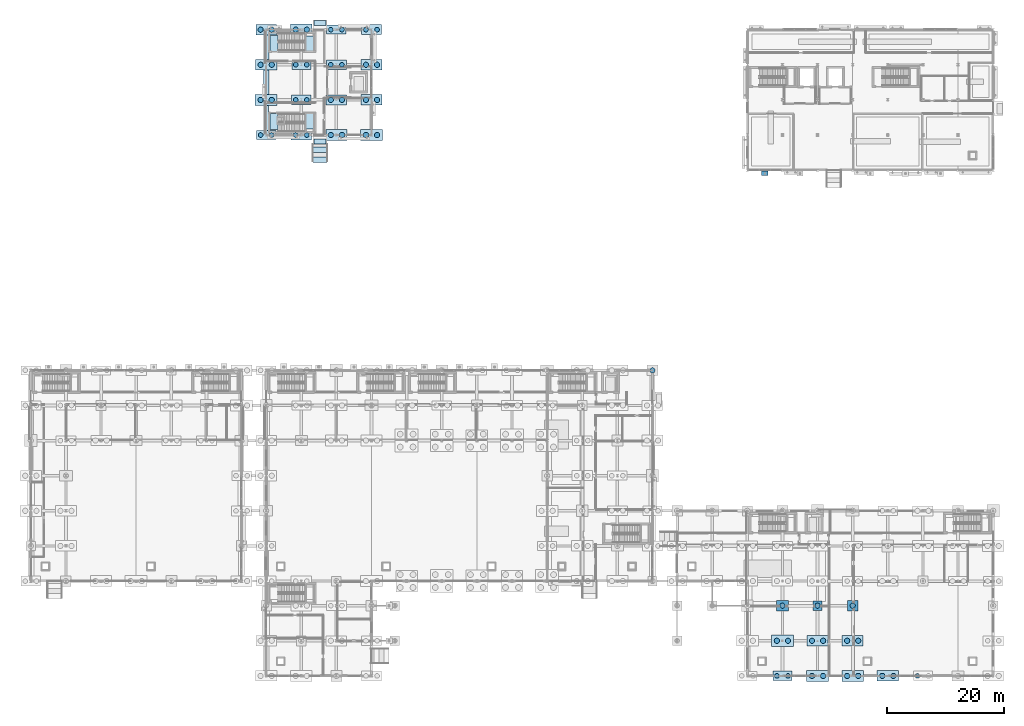
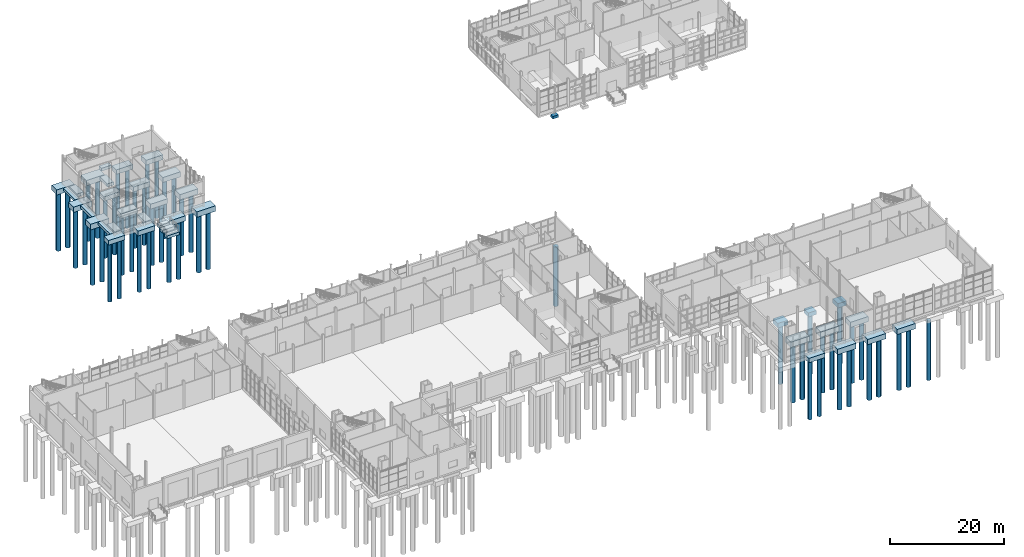
# One storey, part 6 of 120: 51 piles, 38 footings.
"""IFC4 building model written with IfcOpenShell, lengths in metres."""

from ifc_helpers import new_model, si_unit, direction, frame, origin, origin_2d, place, context, subcontext, project, spatial, rectangle, circle, extrude, material, material_profile, profile_set, type_object, element, save


model = new_model("IFC4")

# Units and contexts
model_context = context("Model", 3, precision=1e-05, world=origin(), true_north=direction((0.0, 1.0)))
body_context = subcontext(model_context, "Body", "Model", "MODEL_VIEW")
ifc_project = project(units=[si_unit("LENGTHUNIT", "METRE"), si_unit("AREAUNIT", "SQUARE_METRE"), si_unit("VOLUMEUNIT", "CUBIC_METRE"), si_unit("PLANEANGLEUNIT", "RADIAN"), si_unit("MASSUNIT", "GRAM", prefix="KILO")], contexts=[model_context])

# Site, building, storey
site_placement = place(None, origin())
site = spatial("IfcSite", under=ifc_project, at=site_placement, CompositionType="ELEMENT")
building_placement = place(site_placement, origin())
building = spatial("IfcBuilding", under=site, at=building_placement, Name="Siltcreek Boulevard Central Fire Station", CompositionType="ELEMENT")
storey_placement = place(building_placement, origin())
storey = spatial("IfcBuildingStorey", under=building, at=storey_placement, Name="L01", CompositionType="ELEMENT", Elevation=0.0)

# Footings
ifc_material = material(Name="Concrete C35/45", Category="concrete")
footing_type_1 = type_object("IfcFootingType", Name="PC_160X160X084", PredefinedType="PILE_CAP", material=ifc_material)
footing_1_placement = place(storey_placement, frame((136.199951171875, 13.800048828125, -1.25), z_axis=(0.0, 0.0, 1.0), x_axis=(1.0, 0.0, 0.0)))
element("IfcFooting", 1, at=footing_1_placement, inside=storey, type_object=footing_type_1, Name="Reinforced concrete pile cap PC-189", PredefinedType="PILE_CAP", context=body_context, shape_type="SweptSolid", body=[
    extrude(rectangle(XDim=1.60009765625, YDim=1.60009765625, at=origin_2d()), origin(), (0.0, 0.0, 1.0), 0.840087890625),
])
footing_type_2 = type_object("IfcFootingType", Name="PC_180X180X094", PredefinedType="PILE_CAP", material=ifc_material)
footing_2_placement = place(storey_placement, frame((142.199951171875, 13.800048828125, -1.349853515625), z_axis=(0.0, 0.0, 1.0), x_axis=(1.0, 0.0, 0.0)))
element("IfcFooting", 2, at=footing_2_placement, inside=storey, type_object=footing_type_2, Name="Reinforced concrete pile cap PC-195", PredefinedType="PILE_CAP", context=body_context, shape_type="SweptSolid", body=[
    extrude(rectangle(XDim=1.800048828125, YDim=1.800048828125, at=origin_2d()), origin(), (0.0, 0.0, 1.0), 0.93994140625),
])
footing_type_3 = type_object("IfcFootingType", Name="PC_205X175X098", PredefinedType="PILE_CAP", material=ifc_material)
footing_3_placement = place(storey_placement, frame((130.199951171875, 13.800048828125, -1.389892578125), z_axis=(0.0, 0.0, 1.0), x_axis=(1.0, 0.0, 0.0)))
element("IfcFooting", 3, at=footing_3_placement, inside=storey, type_object=footing_type_3, Name="Reinforced concrete pile cap PC-183", PredefinedType="PILE_CAP", context=body_context, shape_type="SweptSolid", body=[
    extrude(rectangle(XDim=2.050048828125, YDim=1.75, at=origin_2d()), origin(), (0.0, 0.0, 1.0), 0.97998046875),
])
footing_type_4 = type_object("IfcFootingType", Name="PC_325X160X096", PredefinedType="PILE_CAP", material=ifc_material)
for number, where, z_axis, x_axis, name in (
    (4, (48.0, 106.199951171875, -1.369873046875), (0.0, 0.0, 1.0), (1.0, 0.0, 0.0), "Reinforced concrete pile cap PC-082"),
    (5, (130.199951171875, 1.800048828125, -1.369873046875), (0.0, 0.0, 1.0), (1.0, 0.0, 0.0), "Reinforced concrete pile cap PC-181"),
):
    element("IfcFooting", number, at=place(storey_placement, frame(where, z_axis=z_axis, x_axis=x_axis)), inside=storey, type_object=footing_type_4, Name=name, PredefinedType="PILE_CAP", context=body_context, shape_type="SweptSolid", body=[
        extrude(rectangle(XDim=3.25, YDim=1.60009765625, at=origin_2d()), origin(), (0.0, 0.0, 1.0), 0.9599609375),
    ])
footing_type_5 = type_object("IfcFootingType", Name="PC_330X155X098", PredefinedType="PILE_CAP", material=ifc_material)
for number, where, z_axis, x_axis, name in (
    (6, (42.0, 94.199951171875, -1.389892578125), (0.0, 0.0, 1.0), (1.0, 0.0, 0.0), "Reinforced concrete pile cap PC-076"),
    (7, (54.0, 112.199951171875, -1.389892578125), (0.0, 0.0, 1.0), (1.0, 0.0, 0.0), "Reinforced concrete pile cap PC-087"),
):
    element("IfcFooting", number, at=place(storey_placement, frame(where, z_axis=z_axis, x_axis=x_axis)), inside=storey, type_object=footing_type_5, Name=name, PredefinedType="PILE_CAP", context=body_context, shape_type="SweptSolid", body=[
        extrude(rectangle(XDim=3.300048828125, YDim=1.550048828125, at=origin_2d()), origin(), (0.0, 0.0, 1.0), 0.97998046875),
    ])
footing_type_6 = type_object("IfcFootingType", Name="PC_335X165X100", PredefinedType="PILE_CAP", material=ifc_material)
footing_4_placement = place(storey_placement, frame((48.0, 100.199951171875, -1.409912109375), z_axis=(0.0, 0.0, 1.0), x_axis=(1.0, 0.0, 0.0)))
element("IfcFooting", 8, at=footing_4_placement, inside=storey, type_object=footing_type_6, Name="Reinforced concrete pile cap PC-081", PredefinedType="PILE_CAP", context=body_context, shape_type="SweptSolid", body=[
    extrude(rectangle(XDim=3.35009765625, YDim=1.64990234375, at=origin_2d()), origin(), (0.0, 0.0, 1.0), 1.0),
])
footing_type_7 = type_object("IfcFootingType", Name="PC_340X160X102", PredefinedType="PILE_CAP", material=ifc_material)
footing_5_placement = place(storey_placement, frame((54.0, 106.199951171875, -1.429931640625), z_axis=(0.0, 0.0, 1.0), x_axis=(1.0, 0.0, 0.0)))
element("IfcFooting", 9, at=footing_5_placement, inside=storey, type_object=footing_type_7, Name="Reinforced concrete pile cap PC-086", PredefinedType="PILE_CAP", context=body_context, shape_type="SweptSolid", body=[
    extrude(rectangle(XDim=3.39990234375, YDim=1.60009765625, at=origin_2d()), origin(), (0.0, 0.0, 1.0), 1.02001953125),
])
footing_type_8 = type_object("IfcFootingType", Name="PC_345X170X104", PredefinedType="PILE_CAP", material=ifc_material)
for number, where, z_axis, x_axis, name in (
    (10, (48.0, 94.199951171875, -1.449951171875), (0.0, 0.0, 1.0), (1.0, 0.0, 0.0), "Reinforced concrete pile cap PC-080"),
    (11, (60.0, 112.199951171875, -1.449951171875), (0.0, 0.0, 1.0), (1.0, 0.0, 0.0), "Reinforced concrete pile cap PC-091"),
):
    element("IfcFooting", number, at=place(storey_placement, frame(where, z_axis=z_axis, x_axis=x_axis)), inside=storey, type_object=footing_type_8, Name=name, PredefinedType="PILE_CAP", context=body_context, shape_type="SweptSolid", body=[
        extrude(rectangle(XDim=3.449951171875, YDim=1.699951171875, at=origin_2d()), origin(), (0.0, 0.0, 1.0), 1.0400390625),
    ])
footing_type_9 = type_object("IfcFootingType", Name="PC_350X170X106", PredefinedType="PILE_CAP", material=ifc_material)
footing_6_placement = place(storey_placement, frame((54.0, 100.199951171875, -1.469970703125), z_axis=(0.0, 0.0, 1.0), x_axis=(1.0, 0.0, 0.0)))
element("IfcFooting", 12, at=footing_6_placement, inside=storey, type_object=footing_type_9, Name="Reinforced concrete pile cap PC-085", PredefinedType="PILE_CAP", context=body_context, shape_type="SweptSolid", body=[
    extrude(rectangle(XDim=3.5, YDim=1.699951171875, at=origin_2d()), origin(), (0.0, 0.0, 1.0), 1.06005859375),
])
footing_type_10 = type_object("IfcFootingType", Name="PC_355X175X108", PredefinedType="PILE_CAP", material=ifc_material)
for number, where, z_axis, x_axis, name in (
    (13, (42.0, 112.199951171875, -1.489990234375), (0.0, 0.0, 1.0), (1.0, 0.0, 0.0), "Reinforced concrete pile cap PC-079"),
    (14, (60.0, 106.199951171875, -1.489990234375), (0.0, 0.0, 1.0), (1.0, 0.0, 0.0), "Reinforced concrete pile cap PC-090"),
):
    element("IfcFooting", number, at=place(storey_placement, frame(where, z_axis=z_axis, x_axis=x_axis)), inside=storey, type_object=footing_type_10, Name=name, PredefinedType="PILE_CAP", context=body_context, shape_type="SweptSolid", body=[
        extrude(rectangle(XDim=3.550048828125, YDim=1.75, at=origin_2d()), origin(), (0.0, 0.0, 1.0), 1.080078125),
    ])
footing_type_11 = type_object("IfcFootingType", Name="PC_360X185X110", PredefinedType="PILE_CAP", material=ifc_material)
for number, where, z_axis, x_axis, name in (
    (15, (54.0, 94.199951171875, -1.510009765625), (0.0, 0.0, 1.0), (1.0, 0.0, 0.0), "Reinforced concrete pile cap PC-084"),
    (16, (142.199951171875, 7.800048828125, -1.510009765625), (0.0, 0.0, 1.0), (1.0, 0.0, 0.0), "Reinforced concrete pile cap PC-194"),
):
    element("IfcFooting", number, at=place(storey_placement, frame(where, z_axis=z_axis, x_axis=x_axis)), inside=storey, type_object=footing_type_11, Name=name, PredefinedType="PILE_CAP", context=body_context, shape_type="SweptSolid", body=[
        extrude(rectangle(XDim=3.60009765625, YDim=1.85009765625, at=origin_2d()), origin(), (0.0, 0.0, 1.0), 1.10009765625),
    ])
footing_type_12 = type_object("IfcFootingType", Name="PC_365X180X112", PredefinedType="PILE_CAP", material=ifc_material)
for number, where, z_axis, x_axis, name in (
    (17, (42.0, 106.199951171875, -1.530029296875), (0.0, 0.0, 1.0), (1.0, 0.0, 0.0), "Reinforced concrete pile cap PC-078"),
    (18, (60.0, 100.199951171875, -1.530029296875), (0.0, 0.0, 1.0), (1.0, 0.0, 0.0), "Reinforced concrete pile cap PC-089"),
    (19, (136.199951171875, 7.800048828125, -1.530029296875), (0.0, 0.0, 1.0), (1.0, 0.0, 0.0), "Reinforced concrete pile cap PC-188"),
    (20, (148.199951171875, 1.800048828125, -1.530029296875), (0.0, 0.0, 1.0), (1.0, 0.0, 0.0), "Reinforced concrete pile cap PC-199"),
):
    element("IfcFooting", number, at=place(storey_placement, frame(where, z_axis=z_axis, x_axis=x_axis)), inside=storey, type_object=footing_type_12, Name=name, PredefinedType="PILE_CAP", context=body_context, shape_type="SweptSolid", body=[
        extrude(rectangle(XDim=3.64990234375, YDim=1.800048828125, at=origin_2d()), origin(), (0.0, 0.0, 1.0), 1.1201171875),
    ])
footing_type_13 = type_object("IfcFootingType", Name="PC_370X190X116", PredefinedType="PILE_CAP", material=ifc_material)
for number, where, z_axis, x_axis, name in (
    (21, (48.0, 112.199951171875, -1.56982421875), (0.0, 0.0, 1.0), (1.0, 0.0, 0.0), "Reinforced concrete pile cap PC-083"),
    (22, (130.199951171875, 7.800048828125, -1.56982421875), (0.0, 0.0, 1.0), (1.0, 0.0, 0.0), "Reinforced concrete pile cap PC-182"),
    (23, (142.199951171875, 1.800048828125, -1.56982421875), (0.0, 0.0, 1.0), (1.0, 0.0, 0.0), "Reinforced concrete pile cap PC-193"),
):
    element("IfcFooting", number, at=place(storey_placement, frame(where, z_axis=z_axis, x_axis=x_axis)), inside=storey, type_object=footing_type_13, Name=name, PredefinedType="PILE_CAP", context=body_context, shape_type="SweptSolid", body=[
        extrude(rectangle(XDim=3.699951171875, YDim=1.89990234375, at=origin_2d()), origin(), (0.0, 0.0, 1.0), 1.159912109375),
    ])
footing_type_14 = type_object("IfcFootingType", Name="PC_375X185X118", PredefinedType="PILE_CAP", material=ifc_material)
for number, where, z_axis, x_axis, name in (
    (24, (42.0, 100.199951171875, -1.58984375), (0.0, 0.0, 1.0), (1.0, 0.0, 0.0), "Reinforced concrete pile cap PC-077"),
    (25, (60.0, 94.199951171875, -1.58984375), (0.0, 0.0, 1.0), (1.0, 0.0, 0.0), "Reinforced concrete pile cap PC-088"),
    (26, (136.199951171875, 1.800048828125, -1.58984375), (0.0, 0.0, 1.0), (1.0, 0.0, 0.0), "Reinforced concrete pile cap PC-187"),
):
    element("IfcFooting", number, at=place(storey_placement, frame(where, z_axis=z_axis, x_axis=x_axis)), inside=storey, type_object=footing_type_14, Name=name, PredefinedType="PILE_CAP", context=body_context, shape_type="SweptSolid", body=[
        extrude(rectangle(XDim=3.75, YDim=1.85009765625, at=origin_2d()), origin(), (0.0, 0.0, 1.0), 1.179931640625),
    ])

# Piles
ifc_material_profile_1 = material_profile(ifc_material, circle(Radius=0.39990234375, at=origin_2d()), Name="SHAFT800")
ifc_profile_set_1 = profile_set([ifc_material_profile_1], Name="Concrete C35/45")
pile_type_1 = type_object("IfcPileType", Name="PILE_D800", PredefinedType="BORED", material=ifc_profile_set_1)
for number, where, z_axis, x_axis, name in (
    (27, (41.050048828125, 94.199951171875, -1.2900390625), (0.0, 0.0, -1.0), (1.0, 0.0, 0.0), "Bored concrete pile 150 in Vashon till"),
    (28, (42.949951171875, 94.199951171875, -1.2900390625), (0.0, 0.0, -1.0), (1.0, 0.0, 0.0), "Bored concrete pile 151 in Vashon till"),
):
    element("IfcPile", number, at=place(storey_placement, frame(where, z_axis=z_axis, x_axis=x_axis)), inside=storey, type_object=pile_type_1, Name=name, PredefinedType="BORED", context=body_context, shape_type="SweptSolid", body=[
        extrude(circle(Radius=0.39990234375, at=origin_2d()), origin(), (0.0, 0.0, 1.0), 12.7099609375),
    ])
for number, where, z_axis, x_axis, name in (
    (29, (47.050048828125, 94.199951171875, -1.35009765625), (0.0, 0.0, -1.0), (1.0, 0.0, 0.0), "Bored concrete pile 158 in Vashon till"),
    (30, (48.949951171875, 94.199951171875, -1.35009765625), (0.0, 0.0, -1.0), (1.0, 0.0, 0.0), "Bored concrete pile 159 in Vashon till"),
):
    element("IfcPile", number, at=place(storey_placement, frame(where, z_axis=z_axis, x_axis=x_axis)), inside=storey, type_object=pile_type_1, Name=name, PredefinedType="BORED", context=body_context, shape_type="SweptSolid", body=[
        extrude(circle(Radius=0.39990234375, at=origin_2d()), origin(), (0.0, 0.0, 1.0), 12.64990234375),
    ])
for number, where, z_axis, x_axis, name in (
    (31, (47.050048828125, 100.199951171875, -1.31005859375), (0.0, 0.0, -1.0), (1.0, 0.0, 0.0), "Bored concrete pile 160 in Vashon till"),
    (32, (48.949951171875, 100.199951171875, -1.31005859375), (0.0, 0.0, -1.0), (1.0, 0.0, 0.0), "Bored concrete pile 161 in Vashon till"),
):
    element("IfcPile", number, at=place(storey_placement, frame(where, z_axis=z_axis, x_axis=x_axis)), inside=storey, type_object=pile_type_1, Name=name, PredefinedType="BORED", context=body_context, shape_type="SweptSolid", body=[
        extrude(circle(Radius=0.39990234375, at=origin_2d()), origin(), (0.0, 0.0, 1.0), 12.68994140625),
    ])
for number, where, z_axis, x_axis, name in (
    (33, (47.050048828125, 106.199951171875, -1.27001953125), (0.0, 0.0, -1.0), (1.0, 0.0, 0.0), "Bored concrete pile 162 in Vashon till"),
    (34, (48.949951171875, 106.199951171875, -1.27001953125), (0.0, 0.0, -1.0), (1.0, 0.0, 0.0), "Bored concrete pile 163 in Vashon till"),
):
    element("IfcPile", number, at=place(storey_placement, frame(where, z_axis=z_axis, x_axis=x_axis)), inside=storey, type_object=pile_type_1, Name=name, PredefinedType="BORED", context=body_context, shape_type="SweptSolid", body=[
        extrude(circle(Radius=0.39990234375, at=origin_2d()), origin(), (0.0, 0.0, 1.0), 12.72998046875),
    ])
for number, where, z_axis, x_axis, name in (
    (35, (53.050048828125, 106.199951171875, -1.330078125), (0.0, 0.0, -1.0), (1.0, 0.0, 0.0), "Bored concrete pile 170 in Vashon till"),
    (36, (54.949951171875, 106.199951171875, -1.330078125), (0.0, 0.0, -1.0), (1.0, 0.0, 0.0), "Bored concrete pile 171 in Vashon till"),
):
    element("IfcPile", number, at=place(storey_placement, frame(where, z_axis=z_axis, x_axis=x_axis)), inside=storey, type_object=pile_type_1, Name=name, PredefinedType="BORED", context=body_context, shape_type="SweptSolid", body=[
        extrude(circle(Radius=0.39990234375, at=origin_2d()), origin(), (0.0, 0.0, 1.0), 12.669921875),
    ])
for number, where, z_axis, x_axis, name in (
    (37, (53.050048828125, 112.199951171875, -1.2900390625), (0.0, 0.0, -1.0), (1.0, 0.0, 0.0), "Bored concrete pile 172 in Vashon till"),
    (38, (54.949951171875, 112.199951171875, -1.2900390625), (0.0, 0.0, -1.0), (1.0, 0.0, 0.0), "Bored concrete pile 173 in Vashon till"),
):
    element("IfcPile", number, at=place(storey_placement, frame(where, z_axis=z_axis, x_axis=x_axis)), inside=storey, type_object=pile_type_1, Name=name, PredefinedType="BORED", context=body_context, shape_type="SweptSolid", body=[
        extrude(circle(Radius=0.39990234375, at=origin_2d()), origin(), (0.0, 0.0, 1.0), 12.7099609375),
    ])
for number, where, z_axis, x_axis, name in (
    (39, (59.050048828125, 112.199951171875, -1.35009765625), (0.0, 0.0, -1.0), (1.0, 0.0, 0.0), "Bored concrete pile 180 in Vashon till"),
    (40, (60.949951171875, 112.199951171875, -1.35009765625), (0.0, 0.0, -1.0), (1.0, 0.0, 0.0), "Bored concrete pile 181 in Vashon till"),
):
    element("IfcPile", number, at=place(storey_placement, frame(where, z_axis=z_axis, x_axis=x_axis)), inside=storey, type_object=pile_type_1, Name=name, PredefinedType="BORED", context=body_context, shape_type="SweptSolid", body=[
        extrude(circle(Radius=0.39990234375, at=origin_2d()), origin(), (0.0, 0.0, 1.0), 12.64990234375),
    ])
for number, where, z_axis, x_axis, name in (
    (41, (129.25, 1.800048828125, -1.27001953125), (0.0, 0.0, -1.0), (1.0, 0.0, 0.0), "Bored concrete pile 344 in Vashon till"),
    (42, (131.14990234375, 1.800048828125, -1.27001953125), (0.0, 0.0, -1.0), (1.0, 0.0, 0.0), "Bored concrete pile 345 in Vashon till"),
    (43, (153.25, 1.800048828125, -1.27001953125), (0.0, 0.0, -1.0), (1.0, 0.0, 0.0), "Bored concrete pile 381 in Vashon till"),
):
    element("IfcPile", number, at=place(storey_placement, frame(where, z_axis=z_axis, x_axis=x_axis)), inside=storey, type_object=pile_type_1, Name=name, PredefinedType="BORED", context=body_context, shape_type="SweptSolid", body=[
        extrude(circle(Radius=0.39990234375, at=origin_2d()), origin(), (0.0, 0.0, 1.0), 12.72998046875),
    ])
ifc_material_profile_2 = material_profile(ifc_material, circle(Radius=0.449951171875, at=origin_2d()), Name="SHAFT900")
ifc_profile_set_2 = profile_set([ifc_material_profile_2], Name="Concrete C35/45")
pile_type_2 = type_object("IfcPileType", Name="PILE_D900", PredefinedType="BORED", material=ifc_profile_set_2)
pile_1_placement = place(storey_placement, frame((108.0, 54.0, -1.25), z_axis=(0.0, 0.0, -1.0), x_axis=(1.0, 0.0, 0.0)))
element("IfcPile", 44, at=pile_1_placement, inside=storey, type_object=pile_type_2, Name="Bored concrete pile 149 in Vashon till", PredefinedType="BORED", context=body_context, shape_type="SweptSolid", body=[
    extrude(circle(Radius=0.449951171875, at=origin_2d()), origin(), (0.0, 0.0, 1.0), 12.75),
])
for number, where, z_axis, x_axis, name in (
    (45, (41.050048828125, 100.199951171875, -1.489990234375), (0.0, 0.0, -1.0), (1.0, 0.0, 0.0), "Bored concrete pile 152 in Vashon till"),
    (46, (42.949951171875, 100.199951171875, -1.489990234375), (0.0, 0.0, -1.0), (1.0, 0.0, 0.0), "Bored concrete pile 153 in Vashon till"),
):
    element("IfcPile", number, at=place(storey_placement, frame(where, z_axis=z_axis, x_axis=x_axis)), inside=storey, type_object=pile_type_2, Name=name, PredefinedType="BORED", context=body_context, shape_type="SweptSolid", body=[
        extrude(circle(Radius=0.449951171875, at=origin_2d()), origin(), (0.0, 0.0, 1.0), 12.510009765625),
    ])
for number, where, z_axis, x_axis, name in (
    (47, (41.050048828125, 106.199951171875, -1.429931640625), (0.0, 0.0, -1.0), (1.0, 0.0, 0.0), "Bored concrete pile 154 in Vashon till"),
    (48, (42.949951171875, 106.199951171875, -1.429931640625), (0.0, 0.0, -1.0), (1.0, 0.0, 0.0), "Bored concrete pile 155 in Vashon till"),
):
    element("IfcPile", number, at=place(storey_placement, frame(where, z_axis=z_axis, x_axis=x_axis)), inside=storey, type_object=pile_type_2, Name=name, PredefinedType="BORED", context=body_context, shape_type="SweptSolid", body=[
        extrude(circle(Radius=0.449951171875, at=origin_2d()), origin(), (0.0, 0.0, 1.0), 12.570068359375),
    ])
for number, where, z_axis, x_axis, name in (
    (49, (41.050048828125, 112.199951171875, -1.389892578125), (0.0, 0.0, -1.0), (1.0, 0.0, 0.0), "Bored concrete pile 156 in Vashon till"),
    (50, (42.949951171875, 112.199951171875, -1.389892578125), (0.0, 0.0, -1.0), (1.0, 0.0, 0.0), "Bored concrete pile 157 in Vashon till"),
):
    element("IfcPile", number, at=place(storey_placement, frame(where, z_axis=z_axis, x_axis=x_axis)), inside=storey, type_object=pile_type_2, Name=name, PredefinedType="BORED", context=body_context, shape_type="SweptSolid", body=[
        extrude(circle(Radius=0.449951171875, at=origin_2d()), origin(), (0.0, 0.0, 1.0), 12.610107421875),
    ])
for number, where, z_axis, x_axis, name in (
    (51, (47.050048828125, 112.199951171875, -1.469970703125), (0.0, 0.0, -1.0), (1.0, 0.0, 0.0), "Bored concrete pile 164 in Vashon till"),
    (52, (48.949951171875, 112.199951171875, -1.469970703125), (0.0, 0.0, -1.0), (1.0, 0.0, 0.0), "Bored concrete pile 165 in Vashon till"),
):
    element("IfcPile", number, at=place(storey_placement, frame(where, z_axis=z_axis, x_axis=x_axis)), inside=storey, type_object=pile_type_2, Name=name, PredefinedType="BORED", context=body_context, shape_type="SweptSolid", body=[
        extrude(circle(Radius=0.449951171875, at=origin_2d()), origin(), (0.0, 0.0, 1.0), 12.530029296875),
    ])
for number, where, z_axis, x_axis, name in (
    (53, (53.050048828125, 94.199951171875, -1.409912109375), (0.0, 0.0, -1.0), (1.0, 0.0, 0.0), "Bored concrete pile 166 in Vashon till"),
    (54, (54.949951171875, 94.199951171875, -1.409912109375), (0.0, 0.0, -1.0), (1.0, 0.0, 0.0), "Bored concrete pile 167 in Vashon till"),
):
    element("IfcPile", number, at=place(storey_placement, frame(where, z_axis=z_axis, x_axis=x_axis)), inside=storey, type_object=pile_type_2, Name=name, PredefinedType="BORED", context=body_context, shape_type="SweptSolid", body=[
        extrude(circle(Radius=0.449951171875, at=origin_2d()), origin(), (0.0, 0.0, 1.0), 12.590087890625),
    ])
for number, where, z_axis, x_axis, name in (
    (55, (53.050048828125, 100.199951171875, -1.3701171875), (0.0, 0.0, -1.0), (1.0, 0.0, 0.0), "Bored concrete pile 168 in Vashon till"),
    (56, (54.949951171875, 100.199951171875, -1.3701171875), (0.0, 0.0, -1.0), (1.0, 0.0, 0.0), "Bored concrete pile 169 in Vashon till"),
):
    element("IfcPile", number, at=place(storey_placement, frame(where, z_axis=z_axis, x_axis=x_axis)), inside=storey, type_object=pile_type_2, Name=name, PredefinedType="BORED", context=body_context, shape_type="SweptSolid", body=[
        extrude(circle(Radius=0.449951171875, at=origin_2d()), origin(), (0.0, 0.0, 1.0), 12.6298828125),
    ])
for number, where, z_axis, x_axis, name in (
    (57, (59.050048828125, 94.199951171875, -1.489990234375), (0.0, 0.0, -1.0), (1.0, 0.0, 0.0), "Bored concrete pile 174 in Vashon till"),
    (58, (60.949951171875, 94.199951171875, -1.489990234375), (0.0, 0.0, -1.0), (1.0, 0.0, 0.0), "Bored concrete pile 175 in Vashon till"),
):
    element("IfcPile", number, at=place(storey_placement, frame(where, z_axis=z_axis, x_axis=x_axis)), inside=storey, type_object=pile_type_2, Name=name, PredefinedType="BORED", context=body_context, shape_type="SweptSolid", body=[
        extrude(circle(Radius=0.449951171875, at=origin_2d()), origin(), (0.0, 0.0, 1.0), 12.510009765625),
    ])
for number, where, z_axis, x_axis, name in (
    (59, (59.050048828125, 100.199951171875, -1.429931640625), (0.0, 0.0, -1.0), (1.0, 0.0, 0.0), "Bored concrete pile 176 in Vashon till"),
    (60, (60.949951171875, 100.199951171875, -1.429931640625), (0.0, 0.0, -1.0), (1.0, 0.0, 0.0), "Bored concrete pile 177 in Vashon till"),
):
    element("IfcPile", number, at=place(storey_placement, frame(where, z_axis=z_axis, x_axis=x_axis)), inside=storey, type_object=pile_type_2, Name=name, PredefinedType="BORED", context=body_context, shape_type="SweptSolid", body=[
        extrude(circle(Radius=0.449951171875, at=origin_2d()), origin(), (0.0, 0.0, 1.0), 12.570068359375),
    ])
for number, where, z_axis, x_axis, name in (
    (61, (59.050048828125, 106.199951171875, -1.389892578125), (0.0, 0.0, -1.0), (1.0, 0.0, 0.0), "Bored concrete pile 178 in Vashon till"),
    (62, (60.949951171875, 106.199951171875, -1.389892578125), (0.0, 0.0, -1.0), (1.0, 0.0, 0.0), "Bored concrete pile 179 in Vashon till"),
):
    element("IfcPile", number, at=place(storey_placement, frame(where, z_axis=z_axis, x_axis=x_axis)), inside=storey, type_object=pile_type_2, Name=name, PredefinedType="BORED", context=body_context, shape_type="SweptSolid", body=[
        extrude(circle(Radius=0.449951171875, at=origin_2d()), origin(), (0.0, 0.0, 1.0), 12.610107421875),
    ])
for number, where, z_axis, x_axis, name in (
    (63, (129.25, 7.800048828125, -1.469970703125), (0.0, 0.0, -1.0), (1.0, 0.0, 0.0), "Bored concrete pile 346 in Vashon till"),
    (64, (131.14990234375, 7.800048828125, -1.469970703125), (0.0, 0.0, -1.0), (1.0, 0.0, 0.0), "Bored concrete pile 347 in Vashon till"),
):
    element("IfcPile", number, at=place(storey_placement, frame(where, z_axis=z_axis, x_axis=x_axis)), inside=storey, type_object=pile_type_2, Name=name, PredefinedType="BORED", context=body_context, shape_type="SweptSolid", body=[
        extrude(circle(Radius=0.449951171875, at=origin_2d()), origin(), (0.0, 0.0, 1.0), 12.530029296875),
    ])
pile_2_placement = place(storey_placement, frame((130.199951171875, 13.800048828125, -1.2900390625), z_axis=(0.0, 0.0, -1.0), x_axis=(1.0, 0.0, 0.0)))
element("IfcPile", 65, at=pile_2_placement, inside=storey, type_object=pile_type_2, Name="Bored concrete pile 348 in Vashon till", PredefinedType="BORED", context=body_context, shape_type="SweptSolid", body=[
    extrude(circle(Radius=0.449951171875, at=origin_2d()), origin(), (0.0, 0.0, 1.0), 12.7099609375),
])
for number, where, z_axis, x_axis, name in (
    (66, (135.25, 1.800048828125, -1.489990234375), (0.0, 0.0, -1.0), (1.0, 0.0, 0.0), "Bored concrete pile 354 in Vashon till"),
    (67, (137.14990234375, 1.800048828125, -1.489990234375), (0.0, 0.0, -1.0), (1.0, 0.0, 0.0), "Bored concrete pile 355 in Vashon till"),
):
    element("IfcPile", number, at=place(storey_placement, frame(where, z_axis=z_axis, x_axis=x_axis)), inside=storey, type_object=pile_type_2, Name=name, PredefinedType="BORED", context=body_context, shape_type="SweptSolid", body=[
        extrude(circle(Radius=0.449951171875, at=origin_2d()), origin(), (0.0, 0.0, 1.0), 12.510009765625),
    ])
for number, where, z_axis, x_axis, name in (
    (68, (135.25, 7.800048828125, -1.429931640625), (0.0, 0.0, -1.0), (1.0, 0.0, 0.0), "Bored concrete pile 356 in Vashon till"),
    (69, (137.14990234375, 7.800048828125, -1.429931640625), (0.0, 0.0, -1.0), (1.0, 0.0, 0.0), "Bored concrete pile 357 in Vashon till"),
):
    element("IfcPile", number, at=place(storey_placement, frame(where, z_axis=z_axis, x_axis=x_axis)), inside=storey, type_object=pile_type_2, Name=name, PredefinedType="BORED", context=body_context, shape_type="SweptSolid", body=[
        extrude(circle(Radius=0.449951171875, at=origin_2d()), origin(), (0.0, 0.0, 1.0), 12.570068359375),
    ])
pile_3_placement = place(storey_placement, frame((136.199951171875, 13.800048828125, -1.14990234375), z_axis=(0.0, 0.0, -1.0), x_axis=(1.0, 0.0, 0.0)))
element("IfcPile", 70, at=pile_3_placement, inside=storey, type_object=pile_type_2, Name="Bored concrete pile 358 in Vashon till", PredefinedType="BORED", context=body_context, shape_type="SweptSolid", body=[
    extrude(circle(Radius=0.449951171875, at=origin_2d()), origin(), (0.0, 0.0, 1.0), 12.85009765625),
])
for number, where, z_axis, x_axis, name in (
    (71, (141.25, 1.800048828125, -1.469970703125), (0.0, 0.0, -1.0), (1.0, 0.0, 0.0), "Bored concrete pile 364 in Vashon till"),
    (72, (143.14990234375, 1.800048828125, -1.469970703125), (0.0, 0.0, -1.0), (1.0, 0.0, 0.0), "Bored concrete pile 365 in Vashon till"),
):
    element("IfcPile", number, at=place(storey_placement, frame(where, z_axis=z_axis, x_axis=x_axis)), inside=storey, type_object=pile_type_2, Name=name, PredefinedType="BORED", context=body_context, shape_type="SweptSolid", body=[
        extrude(circle(Radius=0.449951171875, at=origin_2d()), origin(), (0.0, 0.0, 1.0), 12.530029296875),
    ])
for number, where, z_axis, x_axis, name in (
    (73, (141.25, 7.800048828125, -1.409912109375), (0.0, 0.0, -1.0), (1.0, 0.0, 0.0), "Bored concrete pile 366 in Vashon till"),
    (74, (143.14990234375, 7.800048828125, -1.409912109375), (0.0, 0.0, -1.0), (1.0, 0.0, 0.0), "Bored concrete pile 367 in Vashon till"),
):
    element("IfcPile", number, at=place(storey_placement, frame(where, z_axis=z_axis, x_axis=x_axis)), inside=storey, type_object=pile_type_2, Name=name, PredefinedType="BORED", context=body_context, shape_type="SweptSolid", body=[
        extrude(circle(Radius=0.449951171875, at=origin_2d()), origin(), (0.0, 0.0, 1.0), 12.590087890625),
    ])
pile_4_placement = place(storey_placement, frame((142.199951171875, 13.800048828125, -1.25), z_axis=(0.0, 0.0, -1.0), x_axis=(1.0, 0.0, 0.0)))
element("IfcPile", 75, at=pile_4_placement, inside=storey, type_object=pile_type_2, Name="Bored concrete pile 368 in Vashon till", PredefinedType="BORED", context=body_context, shape_type="SweptSolid", body=[
    extrude(circle(Radius=0.449951171875, at=origin_2d()), origin(), (0.0, 0.0, 1.0), 12.75),
])
for number, where, z_axis, x_axis, name in (
    (76, (147.25, 1.800048828125, -1.429931640625), (0.0, 0.0, -1.0), (1.0, 0.0, 0.0), "Bored concrete pile 374 in Vashon till"),
    (77, (149.14990234375, 1.800048828125, -1.429931640625), (0.0, 0.0, -1.0), (1.0, 0.0, 0.0), "Bored concrete pile 375 in Vashon till"),
):
    element("IfcPile", number, at=place(storey_placement, frame(where, z_axis=z_axis, x_axis=x_axis)), inside=storey, type_object=pile_type_2, Name=name, PredefinedType="BORED", context=body_context, shape_type="SweptSolid", body=[
        extrude(circle(Radius=0.449951171875, at=origin_2d()), origin(), (0.0, 0.0, 1.0), 12.570068359375),
    ])

# Footings
footing_type_15 = type_object("IfcFootingType", Name="SF_1000X650", PredefinedType="STRIP_FOOTING", material=ifc_material)
footing_7_placement = place(storey_placement, frame((43.320068359375, 96.517578125, -1.06005859375), z_axis=(0.0, 0.0, 1.0), x_axis=(1.0, 0.0, 0.0)))
element("IfcFooting", 78, at=footing_7_placement, inside=storey, type_object=footing_type_15, Name="Stair ST-V3A W foundation strip footing", PredefinedType="STRIP_FOOTING", context=body_context, shape_type="SweptSolid", body=[
    extrude(rectangle(XDim=1.35009765625, YDim=2.764892578125, at=origin_2d()), origin(), (0.0, 0.0, 1.0), 0.64990234375),
])
footing_8_placement = place(storey_placement, frame((49.4599609375, 96.554931640625, -1.06005859375), z_axis=(0.0, 0.0, 1.0), x_axis=(1.0, 0.0, 0.0)))
element("IfcFooting", 79, at=footing_8_placement, inside=storey, type_object=footing_type_15, Name="Stair ST-V3A E foundation strip footing", PredefinedType="STRIP_FOOTING", context=body_context, shape_type="SweptSolid", body=[
    extrude(rectangle(XDim=1.35009765625, YDim=2.68994140625, at=origin_2d()), origin(), (0.0, 0.0, 1.0), 0.64990234375),
])
footing_9_placement = place(storey_placement, frame((43.320068359375, 109.83251953125, -1.06005859375), z_axis=(0.0, 0.0, 1.0), x_axis=(1.0, 0.0, 0.0)))
element("IfcFooting", 80, at=footing_9_placement, inside=storey, type_object=footing_type_15, Name="Stair ST-V3B W foundation strip footing", PredefinedType="STRIP_FOOTING", context=body_context, shape_type="SweptSolid", body=[
    extrude(rectangle(XDim=1.35009765625, YDim=2.6650390625, at=origin_2d()), origin(), (0.0, 0.0, 1.0), 0.64990234375),
])
footing_10_placement = place(storey_placement, frame((49.4599609375, 109.794921875, -1.06005859375), z_axis=(0.0, 0.0, 1.0), x_axis=(1.0, 0.0, 0.0)))
element("IfcFooting", 81, at=footing_10_placement, inside=storey, type_object=footing_type_15, Name="Stair ST-V3B E foundation strip footing", PredefinedType="STRIP_FOOTING", context=body_context, shape_type="SweptSolid", body=[
    extrude(rectangle(XDim=1.35009765625, YDim=2.590087890625, at=origin_2d()), origin(), (0.0, 0.0, 1.0), 0.64990234375),
])
footing_type_16 = type_object("IfcFootingType", Name="SF_800X550", PredefinedType="STRIP_FOOTING", material=ifc_material)
footing_11_placement = place(storey_placement, frame((127.199951171875, 87.64990234375, -0.89990234375), z_axis=(0.0, 0.0, 1.0), x_axis=(1.0, 0.0, 0.0)))
element("IfcFooting", 82, at=footing_11_placement, inside=storey, type_object=footing_type_16, Name="Perimeter strip footing SF-16", PredefinedType="STRIP_FOOTING", context=body_context, shape_type="SweptSolid", body=[
    extrude(rectangle(XDim=1.10009765625, YDim=0.800048828125, at=origin_2d()), origin(), (0.0, 0.0, 1.0), 0.550048828125),
])
footing_12_placement = place(storey_placement, frame((42.0, 97.125, -0.9599609375), z_axis=(0.0, 0.0, 1.0), x_axis=(1.0, 0.0, 0.0)))
element("IfcFooting", 83, at=footing_12_placement, inside=storey, type_object=footing_type_16, Name="Perimeter strip footing SF-052", PredefinedType="STRIP_FOOTING", context=body_context, shape_type="SweptSolid", body=[
    extrude(rectangle(XDim=0.800048828125, YDim=4.260009765625, at=origin_2d()), origin(), (0.0, 0.0, 1.0), 0.550048828125),
])
footing_type_17 = type_object("IfcFootingType", Name="SF_900X600", PredefinedType="STRIP_FOOTING", material=ifc_material)
footing_13_placement = place(storey_placement, frame((42.0, 109.21240234375, -1.010009765625), z_axis=(0.0, 0.0, 1.0), x_axis=(1.0, 0.0, 0.0)))
element("IfcFooting", 84, at=footing_13_placement, inside=storey, type_object=footing_type_17, Name="Perimeter strip footing SF-054", PredefinedType="STRIP_FOOTING", context=body_context, shape_type="SweptSolid", body=[
    extrude(rectangle(XDim=0.89990234375, YDim=4.18505859375, at=origin_2d()), origin(), (0.0, 0.0, 1.0), 0.60009765625),
])
for number, where, z_axis, x_axis, name in (
    (85, (51.199951171875, 93.080078125, -0.81005859375), (0.0, 0.0, 1.0), (1.0, 0.0, 0.0), "Exterior exit landing strip footing SF-V3S"),
    (86, (51.199951171875, 113.320068359375, -0.81005859375), (0.0, 0.0, 1.0), (1.0, 0.0, 0.0), "Exterior exit landing strip footing SF-V3N"),
):
    element("IfcFooting", number, at=place(storey_placement, frame(where, z_axis=z_axis, x_axis=x_axis)), inside=storey, type_object=footing_type_17, Name=name, PredefinedType="STRIP_FOOTING", context=body_context, shape_type="SweptSolid", body=[
        extrude(rectangle(XDim=2.0, YDim=0.89990234375, at=origin_2d()), origin(), (0.0, 0.0, 1.0), 0.60009765625),
    ])
for number, where, z_axis, x_axis, name in (
    (87, (51.199951171875, 89.969970703125, -1.02001953125), (0.0, 0.0, 1.0), (0.0, 1.0, 0.0), "Accessible ramp RM-06 bot strip footing"),
    (88, (51.199951171875, 91.679931640625, -0.856689453125), (0.0, 0.0, 1.0), (0.0, 1.0, 0.0), "Accessible ramp RM-06 top strip footing"),
):
    element("IfcFooting", number, at=place(storey_placement, frame(where, z_axis=z_axis, x_axis=x_axis)), inside=storey, type_object=footing_type_17, Name=name, PredefinedType="STRIP_FOOTING", context=body_context, shape_type="SweptSolid", body=[
        extrude(rectangle(XDim=0.89990234375, YDim=2.449951171875, at=origin_2d()), origin(), (0.0, 0.0, 1.0), 0.60009765625),
    ])
footing_type_18 = type_object("IfcFootingType", Name="SF_950X620", PredefinedType="STRIP_FOOTING", material=ifc_material)
footing_14_placement = place(storey_placement, frame((42.0, 103.21240234375, -1.030029296875), z_axis=(0.0, 0.0, 1.0), x_axis=(1.0, 0.0, 0.0)))
element("IfcFooting", 89, at=footing_14_placement, inside=storey, type_object=footing_type_18, Name="Perimeter strip footing SF-053", PredefinedType="STRIP_FOOTING", context=body_context, shape_type="SweptSolid", body=[
    extrude(rectangle(XDim=0.949951171875, YDim=4.135009765625, at=origin_2d()), origin(), (0.0, 0.0, 1.0), 0.6201171875),
])

save(model, "model.ifc")
